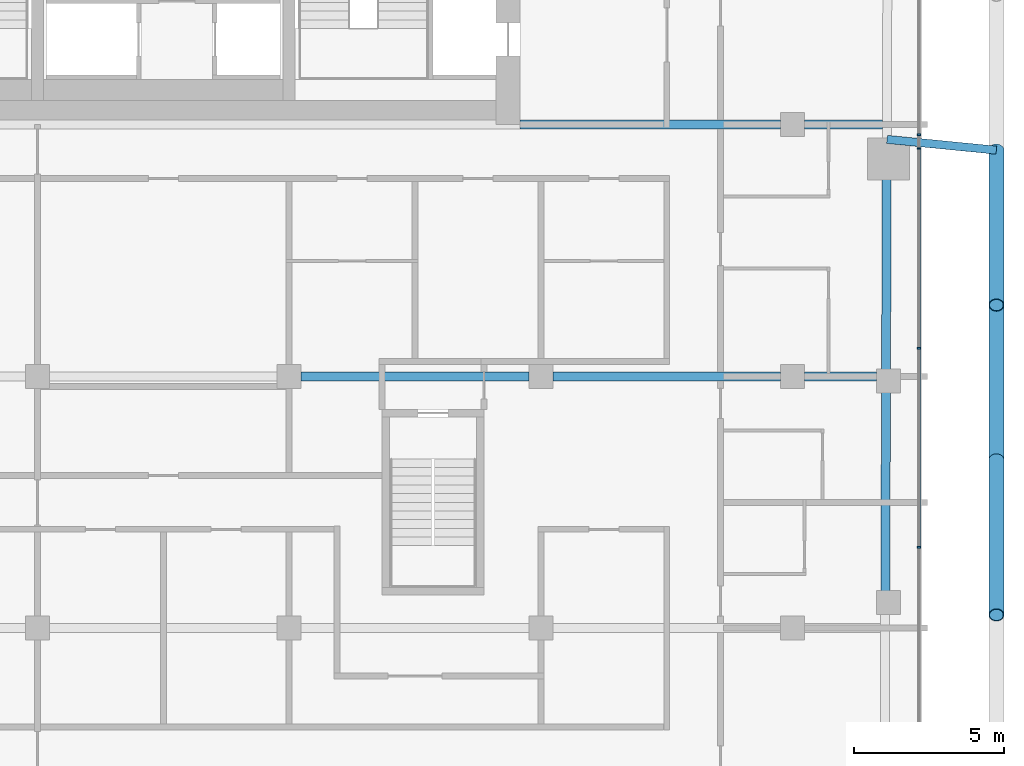
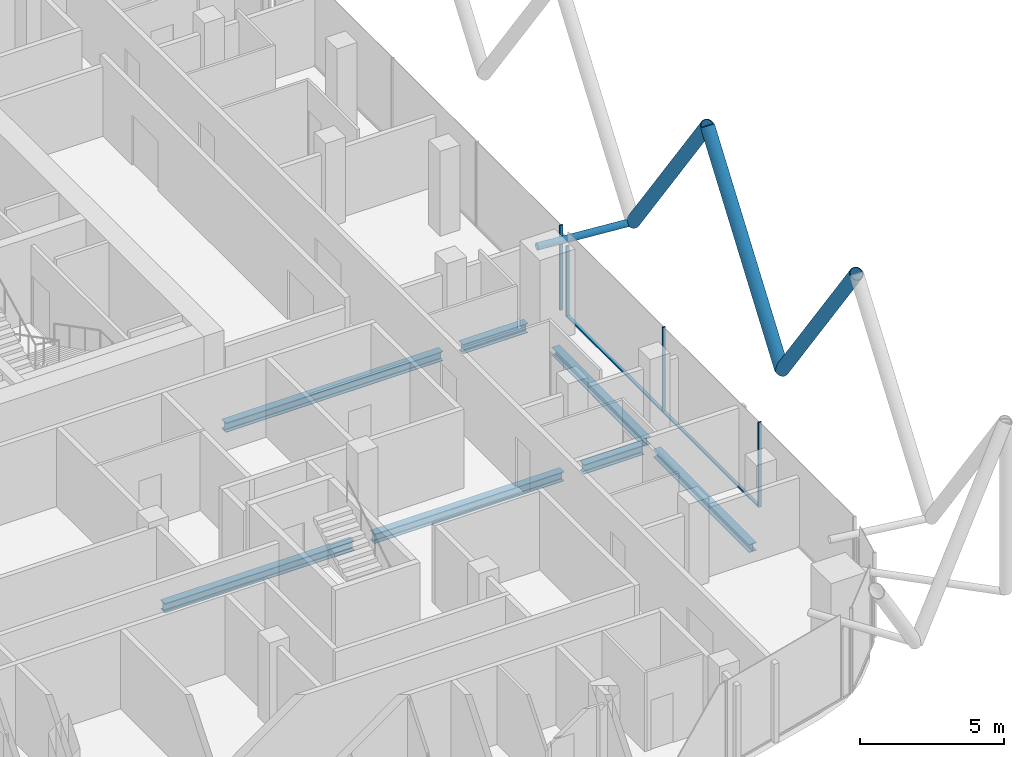
# One storey, part 7 of 31: 10 members, 7 beams, 3 elements without a shape of their own.
"""IFC4 building model written with IfcOpenShell, lengths in metres."""

from ifc_helpers import new_model, si_unit, direction, frame, origin, origin_2d, place, context, subcontext, project, spatial, rectangle, hollow_circle, i_section, extrude, material, layer, layer_set, material_profile, profile_set, type_object, element, aggregate, save


model = new_model("IFC4")

# Units and contexts
model_context = context("Model", 3, precision=1e-05, world=origin(), true_north=direction((0.0, 1.0)))
body_context = subcontext(model_context, "Body", "Model", "MODEL_VIEW")
ifc_project = project(units=[si_unit("LENGTHUNIT", "METRE"), si_unit("AREAUNIT", "SQUARE_METRE"), si_unit("VOLUMEUNIT", "CUBIC_METRE"), si_unit("PLANEANGLEUNIT", "RADIAN"), si_unit("MASSUNIT", "GRAM", prefix="KILO")], contexts=[model_context])

# Site, building, storey
site_placement = place(None, origin())
site = spatial("IfcSite", under=ifc_project, at=site_placement, CompositionType="ELEMENT")
building_placement = place(site_placement, origin())
building = spatial("IfcBuilding", under=site, at=building_placement, Name="Marenta Gate Hotel Tower", CompositionType="ELEMENT")
storey_placement = place(building_placement, frame((0.0, 0.0, 220.10009765625)))
storey = spatial("IfcBuildingStorey", under=building, at=storey_placement, Name="L51", CompositionType="ELEMENT", Elevation=220.10009765625)

# Members
ifc_material_1 = material(Name="Steel S355J2W", Category="steel")
ifc_material_profile_1 = material_profile(ifc_material_1, hollow_circle(Radius=0.25390625, WallThickness=0.02490234375, at=origin_2d()), Name="CHS 508x25")
ifc_profile_set_1 = profile_set([ifc_material_profile_1], Name="Steel S355J2W")
member_type_1 = type_object("IfcMemberType", Name="Diagrid diagonal Z3 CHS 508x25", PredefinedType="BRACE", material=ifc_profile_set_1)
member_1_placement = place(storey_placement, frame((27.800048828125, -0.85009765625, 3.139892578125), z_axis=(0.0, -0.583260841117, 0.812284919975), x_axis=(1.0, 0.0, 0.0)))
element("IfcMember", 1, at=member_1_placement, inside=storey, type_object=member_type_1, Name="L51-DG-6", PredefinedType="BRACE", context=body_context, shape_type="SweptSolid", body=[
    extrude(hollow_circle(Radius=0.25390625, WallThickness=0.02490234375, at=origin_2d()), origin(), (0.0, 0.0, 1.0), 8.86376953125),
])
member_2_placement = place(storey_placement, frame((27.800048828125, -11.190185546875, 3.139892578125), z_axis=(0.0, 0.583279014058, 0.812271870595), x_axis=(-1.0, 0.0, 0.0)))
element("IfcMember", 2, at=member_2_placement, inside=storey, type_object=member_type_1, Name="L51-DG-7", PredefinedType="BRACE", context=body_context, shape_type="SweptSolid", body=[
    extrude(hollow_circle(Radius=0.25390625, WallThickness=0.02490234375, at=origin_2d()), origin(), (0.0, 0.0, 1.0), 8.864013671875),
])
member_3_placement = place(storey_placement, frame((27.800048828125, -11.190185546875, 3.139892578125), z_axis=(0.0, -0.583260841117, 0.812284919975), x_axis=(1.0, 0.0, 0.0)))
element("IfcMember", 3, at=member_3_placement, inside=storey, type_object=member_type_1, Name="L51-DG-8", PredefinedType="BRACE", context=body_context, shape_type="SweptSolid", body=[
    extrude(hollow_circle(Radius=0.25390625, WallThickness=0.02490234375, at=origin_2d()), origin(), (0.0, 0.0, 1.0), 8.86376953125),
])

# Beams
ifc_material_2 = material(Name="Steel S355", Category="steel")
ifc_material_profile_2 = material_profile(ifc_material_2, i_section(OverallWidth=0.300048828125, OverallDepth=0.340087890625, WebThickness=0.011962890625, FlangeThickness=0.021484375, FilletRadius=0.027099609375, at=origin_2d()), Name="HEB 340")
ifc_profile_set_2 = profile_set([ifc_material_profile_2], Name="Steel S355")
beam_type_1 = type_object("IfcBeamType", Name="Edge beam HEB 340", PredefinedType="SPANDREL", material=ifc_profile_set_2)
beam_1_placement = place(storey_placement, frame((24.1396484375, -1.81005859375, -0.43017578125), z_axis=(-0.003328723523, -0.999994459785, 0.0), x_axis=(0.999994459785, -0.003328723523, 0.0)))
element("IfcBeam", 4, at=beam_1_placement, inside=storey, type_object=beam_type_1, Name="L51-EB-25", PredefinedType="SPANDREL", context=body_context, shape_type="SweptSolid", body=[
    extrude(i_section(OverallWidth=0.300048828125, OverallDepth=0.340087890625, WebThickness=0.011962890625, FlangeThickness=0.021484375, FilletRadius=0.027099609375, at=origin_2d()), origin(), (0.0, 0.0, 1.0), 6.380859375),
])
beam_2_placement = place(storey_placement, frame((24.115966796875, -8.910888671875, -0.43017578125), z_axis=(-0.00332539729, -0.999994470851, 0.0), x_axis=(0.999994470851, -0.00332539729, 0.0)))
element("IfcBeam", 5, at=beam_2_placement, inside=storey, type_object=beam_type_1, Name="L51-EB-26", PredefinedType="SPANDREL", context=body_context, shape_type="SweptSolid", body=[
    extrude(i_section(OverallWidth=0.300048828125, OverallDepth=0.340087890625, WebThickness=0.011962890625, FlangeThickness=0.021484375, FilletRadius=0.027099609375, at=origin_2d()), origin(), (0.0, 0.0, 1.0), 6.680908203125),
])

# Member
ifc_material_3 = material(Name="Steel S355J2W", Category="steel")
ifc_material_profile_3 = material_profile(ifc_material_3, hollow_circle(Radius=0.136474609375, WallThickness=0.012451171875, at=origin_2d()), Name="CHS 273x12.5")
ifc_profile_set_3 = profile_set([ifc_material_profile_3], Name="Steel S355J2W")
member_type_2 = type_object("IfcMemberType", Name="Floor tie CHS 273x12.5", PredefinedType="STRUT", material=ifc_profile_set_3)
member_4_placement = place(storey_placement, frame((27.800048828125, -0.85009765625, 3.139892578125), z_axis=(-0.995181771772, 0.098047137303, 0.0), x_axis=(-0.098047137303, -0.995181771772, 0.0)))
element("IfcMember", 6, at=member_4_placement, inside=storey, type_object=member_type_2, Name="L51-DR-9", PredefinedType="STRUT", context=body_context, shape_type="SweptSolid", body=[
    extrude(hollow_circle(Radius=0.136474609375, WallThickness=0.012451171875, at=origin_2d()), origin(), (0.0, 0.0, 1.0), 3.667724609375),
])

# Beams
ifc_material_4 = material(Name="Steel S355", Category="steel")
ifc_material_profile_4 = material_profile(ifc_material_4, i_section(OverallWidth=0.300048828125, OverallDepth=0.39990234375, WebThickness=0.013427734375, FlangeThickness=0.02392578125, FilletRadius=0.027099609375, at=origin_2d()), Name="HEB 400")
ifc_profile_set_4 = profile_set([ifc_material_profile_4], Name="Steel S355")
beam_type_2 = type_object("IfcBeamType", Name="Girder HEB 400", PredefinedType="BEAM", material=ifc_profile_set_4)
beam_3_placement = place(storey_placement, frame((4.60009765625, -8.39990234375, -0.460205078125), z_axis=(1.0, 0.0, 0.0), x_axis=(0.0, 1.0, 0.0)))
element("IfcBeam", 7, at=beam_3_placement, inside=storey, type_object=beam_type_2, Name="L51-GD-17", PredefinedType="BEAM", context=body_context, shape_type="SweptSolid", body=[
    extrude(i_section(OverallWidth=0.300048828125, OverallDepth=0.39990234375, WebThickness=0.013427734375, FlangeThickness=0.02392578125, FilletRadius=0.027099609375, at=origin_2d()), origin(), (0.0, 0.0, 1.0), 7.599853515625),
])
beam_4_placement = place(storey_placement, frame((13.0, -8.39990234375, -0.460205078125), z_axis=(1.0, 0.0, 0.0), x_axis=(0.0, 1.0, 0.0)))
element("IfcBeam", 8, at=beam_4_placement, inside=storey, type_object=beam_type_2, Name="L51-GD-18", PredefinedType="BEAM", context=body_context, shape_type="SweptSolid", body=[
    extrude(i_section(OverallWidth=0.300048828125, OverallDepth=0.39990234375, WebThickness=0.013427734375, FlangeThickness=0.02392578125, FilletRadius=0.027099609375, at=origin_2d()), origin(), (0.0, 0.0, 1.0), 7.60009765625),
])
beam_5_placement = place(storey_placement, frame((21.39990234375, -8.39990234375, -0.460205078125), z_axis=(1.0, 0.0, 0.0), x_axis=(0.0, 1.0, 0.0)))
element("IfcBeam", 9, at=beam_5_placement, inside=storey, type_object=beam_type_2, Name="L51-GD-19", PredefinedType="BEAM", context=body_context, shape_type="SweptSolid", body=[
    extrude(i_section(OverallWidth=0.300048828125, OverallDepth=0.39990234375, WebThickness=0.013427734375, FlangeThickness=0.02392578125, FilletRadius=0.027099609375, at=origin_2d()), origin(), (0.0, 0.0, 1.0), 2.400146484375),
])
beam_6_placement = place(storey_placement, frame((11.89990234375, 0.0, -0.460205078125), z_axis=(1.0, 0.0, 0.0), x_axis=(0.0, 1.0, 0.0)))
element("IfcBeam", 10, at=beam_6_placement, inside=storey, type_object=beam_type_2, Name="L51-GD-23", PredefinedType="BEAM", context=body_context, shape_type="SweptSolid", body=[
    extrude(i_section(OverallWidth=0.300048828125, OverallDepth=0.39990234375, WebThickness=0.013427734375, FlangeThickness=0.02392578125, FilletRadius=0.027099609375, at=origin_2d()), origin(), (0.0, 0.0, 1.0), 8.7001953125),
])
beam_7_placement = place(storey_placement, frame((21.39990234375, 0.0, -0.460205078125), z_axis=(1.0, 0.0, 0.0), x_axis=(0.0, 1.0, 0.0)))
element("IfcBeam", 11, at=beam_7_placement, inside=storey, type_object=beam_type_2, Name="L51-GD-24", PredefinedType="BEAM", context=body_context, shape_type="SweptSolid", body=[
    extrude(i_section(OverallWidth=0.300048828125, OverallDepth=0.39990234375, WebThickness=0.013427734375, FlangeThickness=0.02392578125, FilletRadius=0.027099609375, at=origin_2d()), origin(), (0.0, 0.0, 1.0), 2.595703125),
])

# Curtain wall, members
ifc_material_5 = material(Name="Tinted insulated glass in bronze anodised frame", Category="glass")
ifc_layer = layer(ifc_material_5, 0.1201171875)
ifc_layer_set = layer_set([ifc_layer], Name="Tinted insulated glass in bronze anodised frame")
curtain_wall_type = type_object("IfcCurtainWallType", Name="Tower unitised curtain wall CW1", PredefinedType="NOTDEFINED", material=ifc_layer_set)
curtain_wall_1_placement = place(storey_placement, origin())
curtain_wall_1 = element("IfcCurtainWall", 12, at=curtain_wall_1_placement, inside=storey, type_object=curtain_wall_type, Name="CW1 run G32", PredefinedType="NOTDEFINED")
ifc_material_6 = material(Name="Bronze anodised aluminium", Category="aluminium")
ifc_material_profile_5 = material_profile(ifc_material_6, rectangle(XDim=0.1201171875, YDim=0.06005859375, at=origin_2d()), Name="Mullion CW1 60x120 bronze anodised aluminium")
ifc_profile_set_5 = profile_set([ifc_material_profile_5], Name="Bronze anodised aluminium")
member_type_3 = type_object("IfcMemberType", Name="Mullion CW1 60x120 bronze anodised aluminium", PredefinedType="MULLION", material=ifc_profile_set_5)
member_5_placement = place(storey_placement, frame((25.214111328125, -14.103515625, 0.0), z_axis=(0.0, 0.0, 1.0), x_axis=(-1.0, 0.0, 0.0)))
member_5 = element("IfcMember", 13, at=member_5_placement, type_object=member_type_3, Name="CW1 mullion 2", PredefinedType="MULLION", context=body_context, shape_type="SweptSolid", body=[
    extrude(rectangle(XDim=0.1201171875, YDim=0.06005859375, at=origin_2d()), origin(), (0.0, 0.0, 1.0), 3.599853515625),
])
member_6_placement = place(storey_placement, frame((25.214111328125, -7.46337890625, 0.0), z_axis=(0.0, 0.0, 1.0), x_axis=(-1.0, 0.0, 0.0)))
member_6 = element("IfcMember", 14, at=member_6_placement, type_object=member_type_3, Name="CW1 mullion 3", PredefinedType="MULLION", context=body_context, shape_type="SweptSolid", body=[
    extrude(rectangle(XDim=0.1201171875, YDim=0.06005859375, at=origin_2d()), origin(), (0.0, 0.0, 1.0), 3.599853515625),
])

# Curtain wall, member
curtain_wall_2_placement = place(storey_placement, origin())
curtain_wall_2 = element("IfcCurtainWall", 15, at=curtain_wall_2_placement, inside=storey, type_object=curtain_wall_type, Name="CW1 run G33", PredefinedType="NOTDEFINED")
member_7_placement = place(storey_placement, frame((25.214111328125, -0.79296875, 0.0), z_axis=(0.0, 0.0, 1.0), x_axis=(-1.0, 0.0, 0.0)))
member_7 = element("IfcMember", 16, at=member_7_placement, type_object=member_type_3, Name="CW1 mullion 1", PredefinedType="MULLION", context=body_context, shape_type="SweptSolid", body=[
    extrude(rectangle(XDim=0.1201171875, YDim=0.06005859375, at=origin_2d()), origin(), (0.0, 0.0, 1.0), 3.00048828125),
])
aggregate(curtain_wall_2, [member_7])

curtain_wall_3_placement = place(storey_placement, origin())
curtain_wall_3 = element("IfcCurtainWall", 17, at=curtain_wall_3_placement, inside=storey, type_object=curtain_wall_type, Name="CW1 run G34", PredefinedType="NOTDEFINED")
member_8_placement = place(storey_placement, frame((25.214111328125, -0.337890625, 0.0), z_axis=(0.0, 0.0, 1.0), x_axis=(-1.0, 0.0, 0.0)))
member_8 = element("IfcMember", 18, at=member_8_placement, type_object=member_type_3, Name="CW1 mullion 1", PredefinedType="MULLION", context=body_context, shape_type="SweptSolid", body=[
    extrude(rectangle(XDim=0.1201171875, YDim=0.06005859375, at=origin_2d()), origin(), (0.0, 0.0, 1.0), 3.599853515625),
])
aggregate(curtain_wall_3, [member_8])

# Member
ifc_material_7 = material(Name="Bronze anodised aluminium", Category="aluminium")
ifc_material_profile_6 = material_profile(ifc_material_7, rectangle(XDim=0.1201171875, YDim=0.06005859375, at=origin_2d()), Name="Transom CW1 60x120 bronze anodised aluminium")
ifc_profile_set_6 = profile_set([ifc_material_profile_6], Name="Bronze anodised aluminium")
member_type_4 = type_object("IfcMemberType", Name="Transom CW1 60x120 bronze anodised aluminium", PredefinedType="USERDEFINED", material=ifc_profile_set_6)
member_9_placement = place(storey_placement, frame((25.214111328125, -14.073486328125, 0.02978515625), z_axis=(0.0, 1.0, 0.0), x_axis=(-1.0, 0.0, 0.0)))
member_9 = element("IfcMember", 19, at=member_9_placement, type_object=member_type_4, Name="CW1 transom 2.1", ObjectType="TRANSOM", PredefinedType="USERDEFINED", context=body_context, shape_type="SweptSolid", body=[
    extrude(rectangle(XDim=0.1201171875, YDim=0.06005859375, at=origin_2d()), origin(), (0.0, 0.0, 1.0), 6.580078125),
])

member_10_placement = place(storey_placement, frame((25.214111328125, -7.433349609375, 0.02978515625), z_axis=(0.0, 1.0, 0.0), x_axis=(-1.0, 0.0, 0.0)))
member_10 = element("IfcMember", 20, at=member_10_placement, type_object=member_type_4, Name="CW1 transom 3.1", ObjectType="TRANSOM", PredefinedType="USERDEFINED", context=body_context, shape_type="SweptSolid", body=[
    extrude(rectangle(XDim=0.1201171875, YDim=0.06005859375, at=origin_2d()), origin(), (0.0, 0.0, 1.0), 6.6103515625),
])

aggregate(curtain_wall_1, [member_5, member_6, member_9, member_10])

save(model, "model.ifc")
